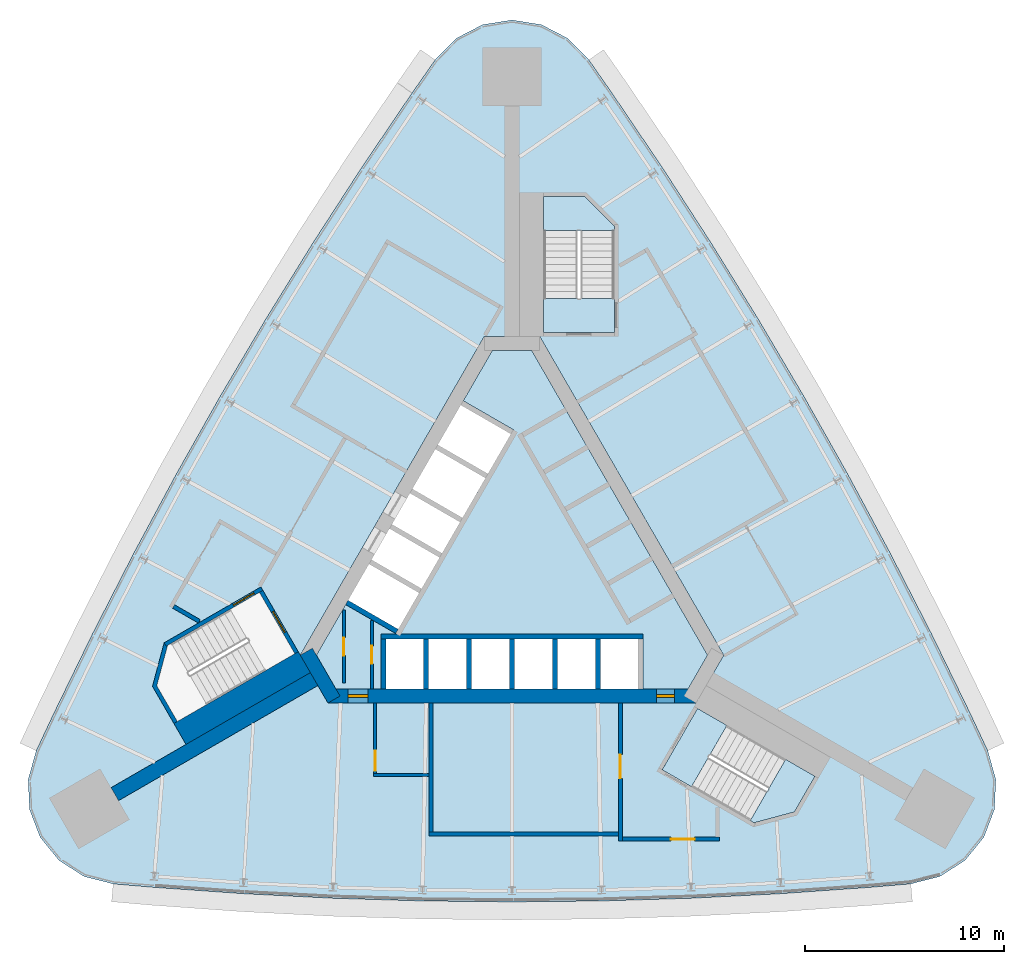
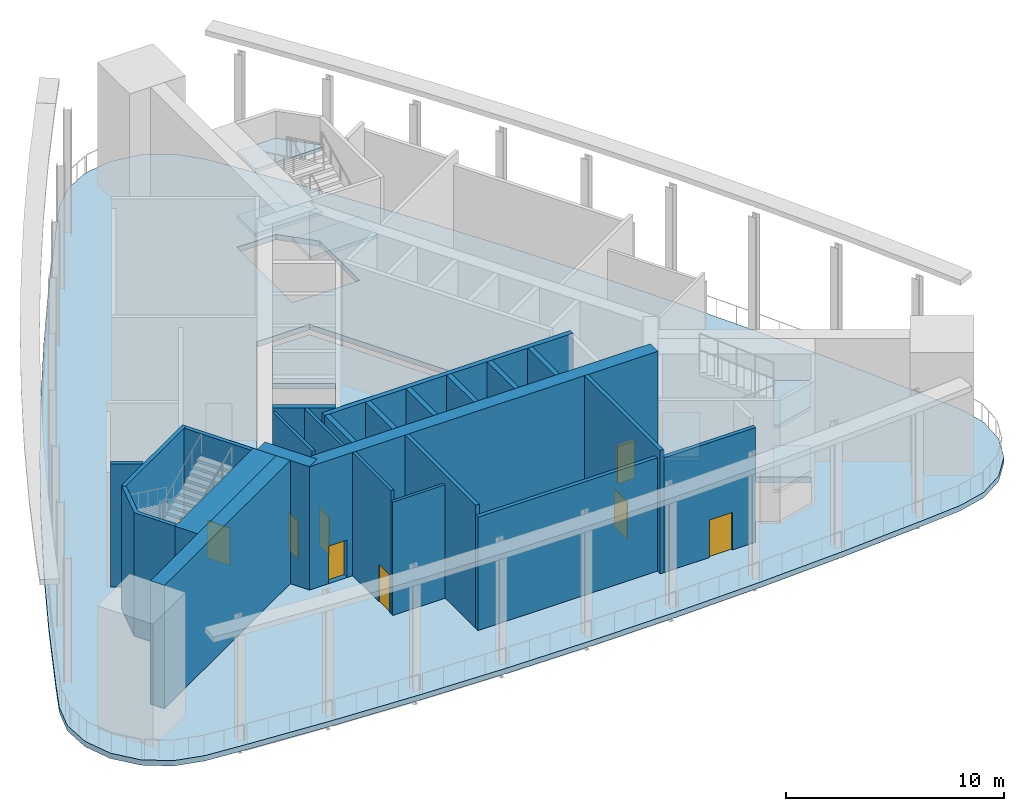
# One storey, part 2 of 7: 24 walls, 9 doors, 8 slabs, 9 openings, 2 elements without a shape of their own.
"""IFC4 building model written with IfcOpenShell, lengths in metres."""

from ifc_helpers import new_model, si_unit, direction, frame, frame_2d, origin, place, context, subcontext, project, spatial, polyline, rectangle, outline, extrude, material, layer, layer_set, type_object, element, fill, aggregate, save


model = new_model("IFC4")

# Units and contexts
model_context = context("Model", 3, precision=1e-05, world=origin(), true_north=direction((0.0, 1.0)))
body_context = subcontext(model_context, "Body", "Model", "MODEL_VIEW")
ifc_project = project(units=[si_unit("LENGTHUNIT", "METRE"), si_unit("AREAUNIT", "SQUARE_METRE"), si_unit("VOLUMEUNIT", "CUBIC_METRE"), si_unit("PLANEANGLEUNIT", "RADIAN"), si_unit("MASSUNIT", "GRAM", prefix="KILO")], contexts=[model_context])

# Site, building, storey
site_placement = place(None, origin())
site = spatial("IfcSite", under=ifc_project, at=site_placement, CompositionType="ELEMENT")
building_placement = place(site_placement, origin())
building = spatial("IfcBuilding", under=site, at=building_placement, Name="Noor Cloister Tower", CompositionType="ELEMENT")
storey_placement = place(building_placement, frame((0.0, 0.0, 127.5)))
storey = spatial("IfcBuildingStorey", under=building, at=storey_placement, Name="L33", CompositionType="ELEMENT", Elevation=127.5)

# Slabs
ifc_material_1 = material(Name="Concrete C40/50", Category="concrete")
ifc_layer_1 = layer(ifc_material_1, 0.300048828125)
ifc_layer_set_1 = layer_set([ifc_layer_1], Name="Core floor slab 300 C40/50")
slab_type_1 = type_object("IfcSlabType", Name="Core floor slab 300 C40/50", PredefinedType="FLOOR", material=ifc_layer_set_1)
slab_1_placement = place(storey_placement, frame((0.0, 0.0, -0.300048828125)))
element("IfcSlab", 1, at=slab_1_placement, inside=storey, type_object=slab_type_1, Name="Core floor L33", PredefinedType="FLOOR", context=body_context, shape_type="SweptSolid", body=[
    extrude(outline(polyline([(-6.574951171875, -6.228271484375), (-6.574951171875, -3.728271484375), (6.574951171875, -3.728271484375), (6.574951171875, -6.228271484375), (8.82470703125, -6.228271484375), (9.80615234375, -4.5283203125), (0.9814453125, 10.75634765625), (-0.9814453125, 10.75634765625), (-2.44384765625, 8.2236328125), (0.067626953125, 6.773681640625), (-5.832275390625, -3.4453125), (-8.34375, -1.995361328125), (-9.80615234375, -4.5283203125), (-8.82470703125, -6.228271484375), (-6.574951171875, -6.228271484375)])), origin(), (0.0, 0.0, 1.0), 0.300048828125),
])
ifc_material_2 = material(Name="Concrete C40/50", Category="concrete")
ifc_layer_2 = layer(ifc_material_2, 0.300048828125)
ifc_layer_set_2 = layer_set([ifc_layer_2], Name="Floor slab 300 C40/50")
slab_type_2 = type_object("IfcSlabType", Name="Floor slab 300 C40/50", PredefinedType="FLOOR", material=ifc_layer_set_2)
slab_2_placement = place(storey_placement, frame((0.0, 0.0, -0.300048828125)))
element("IfcSlab", 2, at=slab_2_placement, inside=storey, type_object=slab_type_2, Name="Floor slab L33", PredefinedType="FLOOR", context=body_context, shape_type="SweptSolid", body=[
    extrude(outline(polyline([(3.853271484375, 25.31689453125), (2.807373046875, 26.38818359375), (1.478271484375, 27.07763671875), (0.0, 27.3154296875), (-1.478271484375, 27.07763671875), (-2.807373046875, 26.38818359375), (-3.853271484375, 25.31689453125), (-5.0126953125, 23.65576171875), (-7.533447265625, 19.92822265625), (-9.978271484375, 16.150390625), (-12.345703125, 12.323486328125), (-14.635009765625, 8.449462890625), (-16.845458984375, 4.52978515625), (-18.9755859375, 0.566162109375), (-21.025146484375, -3.43994140625), (-22.992919921875, -7.48681640625), (-23.851806640625, -9.321533203125), (-24.256591796875, -10.762939453125), (-24.18896484375, -12.258544921875), (-23.65576171875, -13.65771484375), (-22.710693359375, -14.81884765625), (-21.44921875, -15.625244140625), (-19.99853515625, -15.995361328125), (-17.980224609375, -16.1689453125), (-13.49169921875, -16.48828125), (-8.99755859375, -16.716552734375), (-4.499755859375, -16.853515625), (0.0, -16.899169921875), (4.499755859375, -16.853515625), (8.99755859375, -16.716552734375), (13.49169921875, -16.48828125), (17.980224609375, -16.1689453125), (19.99853515625, -15.995361328125), (21.44921875, -15.625244140625), (22.710693359375, -14.81884765625), (23.65576171875, -13.65771484375), (24.18896484375, -12.258544921875), (24.256591796875, -10.762939453125), (23.851806640625, -9.321533203125), (22.992919921875, -7.48681640625), (21.025146484375, -3.43994140625), (18.9755859375, 0.566162109375), (16.845458984375, 4.52978515625), (14.635009765625, 8.449462890625), (12.345703125, 12.323486328125), (9.978271484375, 16.150390625), (7.533447265625, 19.92822265625), (5.0126953125, 23.65576171875), (3.853271484375, 25.31689453125)]), holes=[polyline([(8.999755859375, -11.126220703125), (12.131591796875, -12.934326171875), (14.1572265625, -12.3916015625), (15.19091796875, -10.601318359375), (10.774658203125, -8.0517578125), (8.999755859375, -11.126220703125)]), polyline([(-17.81005859375, -6.064697265625), (-16.776611328125, -7.85498046875), (-12.3603515625, -5.305419921875), (-14.13525390625, -2.23095703125), (-16.662841796875, -3.690185546875), (-17.267333984375, -4.039306640625), (-17.81005859375, -6.064697265625)]), polyline([(-10.6142578125, -4.5283203125), (-9.228759765625, -6.92822265625), (9.228759765625, -6.92822265625), (10.6142578125, -4.5283203125), (1.3857421875, 11.456298828125), (-1.3857421875, 11.456298828125), (-10.6142578125, -4.5283203125)]), polyline([(3.65283203125, 18.456298828125), (1.585693359375, 18.456298828125), (1.585693359375, 13.35693359375), (5.135498046875, 13.35693359375), (5.135498046875, 16.9736328125), (3.65283203125, 18.456298828125)])]), origin(), (0.0, 0.0, 1.0), 0.300048828125),
])

# Stair, slabs
ifc_material_3 = material(Name="Concrete C40/50", Category="concrete")
stair_type = type_object("IfcStairType", Name="Exit stair 44 risers", PredefinedType="HALF_TURN_STAIR", material=ifc_material_3)
stair_1_placement = place(storey_placement, origin())
stair_1 = element("IfcStair", 3, at=stair_1_placement, inside=storey, type_object=stair_type, Name="Exit stair ST1 L33", PredefinedType="HALF_TURN_STAIR")
ifc_material_4 = material(Name="Concrete C40/50", Category="concrete")
ifc_layer_3 = layer(ifc_material_4, 0.199951171875)
ifc_layer_set_3 = layer_set([ifc_layer_3], Name="Stair landing 200 C40/50")
slab_type_3 = type_object("IfcSlabType", Name="Stair landing 200 C40/50", PredefinedType="LANDING", material=ifc_layer_set_3)
slab_3_placement = place(storey_placement, frame((0.0, 0.0, 1.60009765625)))
slab_3 = element("IfcSlab", 4, at=slab_3_placement, type_object=slab_type_3, Name="ST1 landing 1", PredefinedType="LANDING", context=body_context, shape_type="SweptSolid", body=[
    extrude(outline(polyline([(5.135498046875, 16.755859375), (5.135498046875, 16.9736328125), (3.65283203125, 18.456298828125), (1.585693359375, 18.456298828125), (1.585693359375, 16.755859375), (5.135498046875, 16.755859375)])), origin(), (0.0, 0.0, 1.0), 0.199951171875),
])
slab_4_placement = place(storey_placement, frame((0.0, 0.0, 3.39990234375)))
slab_4 = element("IfcSlab", 5, at=slab_4_placement, type_object=slab_type_3, Name="ST1 landing 2", PredefinedType="LANDING", context=body_context, shape_type="SweptSolid", body=[
    extrude(outline(polyline([(1.585693359375, 13.35693359375), (1.585693359375, 11.656494140625), (5.135498046875, 11.656494140625), (5.135498046875, 13.35693359375), (1.585693359375, 13.35693359375)])), origin(), (0.0, 0.0, 1.0), 0.2001953125),
])
slab_5_placement = place(storey_placement, frame((0.0, 0.0, 5.199951171875)))
slab_5 = element("IfcSlab", 6, at=slab_5_placement, type_object=slab_type_3, Name="ST1 landing 3", PredefinedType="LANDING", context=body_context, shape_type="SweptSolid", body=[
    extrude(outline(polyline([(5.135498046875, 16.755859375), (5.135498046875, 16.9736328125), (3.65283203125, 18.456298828125), (1.585693359375, 18.456298828125), (1.585693359375, 16.755859375), (5.135498046875, 16.755859375)])), origin(), (0.0, 0.0, 1.0), 0.199951171875),
])
aggregate(stair_1, [slab_3, slab_4, slab_5])

stair_2_placement = place(storey_placement, origin())
stair_2 = element("IfcStair", 7, at=stair_2_placement, inside=storey, type_object=stair_type, Name="Exit stair ST3 L33", PredefinedType="HALF_TURN_STAIR")
slab_6_placement = place(storey_placement, frame((0.0, 0.0, 1.60009765625)))
slab_6 = element("IfcSlab", 8, at=slab_6_placement, type_object=slab_type_3, Name="ST3 landing 1", PredefinedType="LANDING", context=body_context, shape_type="SweptSolid", body=[
    extrude(outline(polyline([(11.943115234375, -12.825439453125), (12.131591796875, -12.934326171875), (14.1572265625, -12.3916015625), (15.19091796875, -10.601318359375), (13.718017578125, -9.751220703125), (11.943115234375, -12.825439453125)])), origin(), (0.0, 0.0, 1.0), 0.199951171875),
])
slab_7_placement = place(storey_placement, frame((0.0, 0.0, 3.39990234375)))
slab_7 = element("IfcSlab", 9, at=slab_7_placement, type_object=slab_type_3, Name="ST3 landing 2", PredefinedType="LANDING", context=body_context, shape_type="SweptSolid", body=[
    extrude(outline(polyline([(10.774658203125, -8.0517578125), (9.302001953125, -7.201416015625), (7.52685546875, -10.27587890625), (8.999755859375, -11.126220703125), (10.774658203125, -8.0517578125)])), origin(), (0.0, 0.0, 1.0), 0.2001953125),
])
slab_8_placement = place(storey_placement, frame((0.0, 0.0, 5.199951171875)))
slab_8 = element("IfcSlab", 10, at=slab_8_placement, type_object=slab_type_3, Name="ST3 landing 3", PredefinedType="LANDING", context=body_context, shape_type="SweptSolid", body=[
    extrude(outline(polyline([(11.943115234375, -12.825439453125), (12.131591796875, -12.934326171875), (14.1572265625, -12.3916015625), (15.19091796875, -10.601318359375), (13.718017578125, -9.751220703125), (11.943115234375, -12.825439453125)])), origin(), (0.0, 0.0, 1.0), 0.199951171875),
])
aggregate(stair_2, [slab_6, slab_7, slab_8])

# Wall
ifc_material_5 = material(Name="Concrete C80/95", Category="concrete")
ifc_layer_4 = layer(ifc_material_5, 0.75)
ifc_layer_set_4 = layer_set([ifc_layer_4], Name="Buttress wall 750 C80/95")
wall_type_1 = type_object("IfcWallType", Name="Buttress wall 750 C80/95", PredefinedType="SHEAR", material=ifc_layer_set_4)
wall_1_placement = place(storey_placement, frame((-9.921630859375, -5.728271484375, -0.300048828125), z_axis=(0.0, 0.0, 1.0), x_axis=(-0.866024913782, -0.500000848707, 0.0)))
element("IfcWall", 11, at=wall_1_placement, inside=storey, type_object=wall_type_1, Name="Buttress wall SW L33", PredefinedType="SHEAR", context=body_context, shape_type="SweptSolid", body=[
    extrude(rectangle(XDim=11.53857421875, YDim=0.75, at=frame_2d((5.769287109375, 0.0))), origin(), (0.0, 0.0, 1.0), 7.199951171875),
])

# Wall, opening, door
ifc_material_6 = material(Name="Concrete C30/37", Category="concrete")
ifc_layer_5 = layer(ifc_material_6, 0.14990234375)
ifc_layer_set_5 = layer_set([ifc_layer_5], Name="Core partition 150 C30/37")
wall_type_2 = type_object("IfcWallType", Name="Core partition 150 C30/37", PredefinedType="PARTITIONING", material=ifc_layer_set_5)
wall_2_placement = place(storey_placement, frame((-8.4287109375, -5.92822265625, 0.0), z_axis=(0.0, 0.0, 1.0), x_axis=(0.0, 1.0, 0.0)))
wall_2 = element("IfcWall", 12, at=wall_2_placement, inside=storey, type_object=wall_type_2, Name="Core room partition L33 1", PredefinedType="PARTITIONING", context=body_context, shape_type="SweptSolid", body=[
    extrude(rectangle(XDim=3.655517578125, YDim=0.14990234375, at=frame_2d((1.82763671875, 0.0))), origin(), (0.0, 0.0, 1.0), 6.89990234375),
])
opening_1_placement = place(wall_2_placement, frame((1.377685546875, 0.0, 0.0)))
opening_1 = element("IfcOpeningElement", 13, at=opening_1_placement, cuts=wall_2, Name="Opening L33-902", PredefinedType="OPENING", context=body_context, shape_type="SweptSolid", body=[
    extrude(rectangle(XDim=0.89990234375, YDim=2.10009765625, at=frame_2d((0.449951171875, 1.050048828125))), frame((0.0, 0.0849609375, 0.0), z_axis=(0.0, -1.0, 0.0), x_axis=(1.0, 0.0, 0.0)), (0.0, 0.0, 1.0), 0.169921875),
])
ifc_material_7 = material(Name="Steel", Category="steel")
door_type_1 = type_object("IfcDoorType", Name="Core door 900 x 2100 FD120", OperationType="SINGLE_SWING_LEFT", PredefinedType="DOOR", material=ifc_material_7)
door_1_placement = place(opening_1_placement, origin())
door_1 = element("IfcDoor", 14, at=door_1_placement, inside=storey, type_object=door_type_1, Name="Core door 2 L33", OperationType="SINGLE_SWING_RIGHT", OverallHeight=2.10009765625, OverallWidth=0.89990234375, PredefinedType="DOOR", context=body_context, shape_type="SweptSolid", body=[
    extrude(rectangle(XDim=0.89990234375, YDim=2.10009765625, at=frame_2d((0.449951171875, 1.050048828125))), frame((0.0, 0.02490234375, 0.0), z_axis=(0.0, -1.0, 0.0), x_axis=(1.0, 0.0, 0.0)), (0.0, 0.0, 1.0), 0.050048828125),
])
fill(opening_1, door_1)

wall_3_placement = place(storey_placement, frame((-7.02880859375, -2.7998046875, 0.0), z_axis=(0.0, 0.0, 1.0), x_axis=(0.0, -1.0, 0.0)))
wall_3 = element("IfcWall", 15, at=wall_3_placement, inside=storey, type_object=wall_type_2, Name="Core room partition L33 2", PredefinedType="PARTITIONING", context=body_context, shape_type="SweptSolid", body=[
    extrude(rectangle(XDim=3.428466796875, YDim=0.14990234375, at=frame_2d((1.71435546875, 0.0))), origin(), (0.0, 0.0, 1.0), 6.89990234375),
])
opening_2_placement = place(wall_3_placement, frame((1.264404296875, 0.0, 0.0)))
opening_2 = element("IfcOpeningElement", 16, at=opening_2_placement, cuts=wall_3, Name="Opening L33-904", PredefinedType="OPENING", context=body_context, shape_type="SweptSolid", body=[
    extrude(rectangle(XDim=0.89990234375, YDim=2.10009765625, at=frame_2d((0.449951171875, 1.050048828125))), frame((0.0, 0.0849609375, 0.0), z_axis=(0.0, -1.0, 0.0), x_axis=(1.0, 0.0, 0.0)), (0.0, 0.0, 1.0), 0.169921875),
])
door_2_placement = place(opening_2_placement, origin())
door_2 = element("IfcDoor", 17, at=door_2_placement, inside=storey, type_object=door_type_1, Name="Core door 4 L33", OperationType="SINGLE_SWING_RIGHT", OverallHeight=2.10009765625, OverallWidth=0.89990234375, PredefinedType="DOOR", context=body_context, shape_type="SweptSolid", body=[
    extrude(rectangle(XDim=0.89990234375, YDim=2.10009765625, at=frame_2d((0.449951171875, 1.050048828125))), frame((0.0, 0.02490234375, 0.0), z_axis=(0.0, -1.0, 0.0), x_axis=(1.0, 0.0, 0.0)), (0.0, 0.0, 1.0), 0.050048828125),
])
fill(opening_2, door_2)

# Wall, openings, doors
ifc_material_8 = material(Name="Concrete C80/95", Category="concrete")
ifc_layer_6 = layer(ifc_material_8, 0.699951171875)
ifc_layer_set_6 = layer_set([ifc_layer_6], Name="Core wall 700 C80/95")
wall_type_3 = type_object("IfcWallType", Name="Core wall 700 C80/95", PredefinedType="SHEAR", material=ifc_layer_set_6)
wall_4_placement = place(storey_placement, frame((-9.228759765625, -6.578125, -0.300048828125), z_axis=(0.0, 0.0, 1.0), x_axis=(1.0, 0.0, 0.0)))
wall_4 = element("IfcWall", 18, at=wall_4_placement, inside=storey, type_object=wall_type_3, Name="Core wall L33 1", PredefinedType="SHEAR", context=body_context, shape_type="SweptSolid", body=[
    extrude(rectangle(XDim=18.45751953125, YDim=0.699951171875, at=frame_2d((9.228759765625, 0.0))), origin(), (0.0, 0.0, 1.0), 7.199951171875),
])
opening_3_placement = place(wall_4_placement, frame((1.0, 0.0, 0.300048828125)))
opening_3 = element("IfcOpeningElement", 19, at=opening_3_placement, cuts=wall_4, Name="Opening L33-901", PredefinedType="OPENING", context=body_context, shape_type="SweptSolid", body=[
    extrude(rectangle(XDim=1.0, YDim=2.10009765625, at=frame_2d((0.5, 1.050048828125))), frame((0.0, 0.35986328125, 0.0), z_axis=(0.0, -1.0, 0.0), x_axis=(1.0, 0.0, 0.0)), (0.0, 0.0, 1.0), 0.719970703125),
])
opening_4_placement = place(wall_4_placement, frame((16.478515625, 0.0, 0.300048828125)))
opening_4 = element("IfcOpeningElement", 20, at=opening_4_placement, cuts=wall_4, Name="Opening L33-903", PredefinedType="OPENING", context=body_context, shape_type="SweptSolid", body=[
    extrude(rectangle(XDim=0.89990234375, YDim=2.10009765625, at=frame_2d((0.449951171875, 1.050048828125))), frame((0.0, 0.35986328125, 0.0), z_axis=(0.0, -1.0, 0.0), x_axis=(1.0, 0.0, 0.0)), (0.0, 0.0, 1.0), 0.719970703125),
])
ifc_material_9 = material(Name="Steel", Category="steel")
door_type_2 = type_object("IfcDoorType", Name="Core door 1000 x 2100 FD120", OperationType="SINGLE_SWING_LEFT", PredefinedType="DOOR", material=ifc_material_9)
door_3_placement = place(opening_3_placement, origin())
door_3 = element("IfcDoor", 21, at=door_3_placement, inside=storey, type_object=door_type_2, Name="Core door 1 L33", OperationType="SINGLE_SWING_LEFT", OverallHeight=2.10009765625, OverallWidth=1.0, PredefinedType="DOOR", context=body_context, shape_type="SweptSolid", body=[
    extrude(rectangle(XDim=1.0, YDim=2.10009765625, at=frame_2d((0.5, 1.050048828125))), frame((0.0, 0.074951171875, 0.0), z_axis=(0.0, -1.0, 0.0), x_axis=(1.0, 0.0, 0.0)), (0.0, 0.0, 1.0), 0.14990234375),
])
fill(opening_3, door_3)
ifc_material_10 = material(Name="Steel", Category="steel")
door_type_3 = type_object("IfcDoorType", Name="Core door 900 x 2100 FD60", OperationType="SINGLE_SWING_LEFT", PredefinedType="DOOR", material=ifc_material_10)
door_4_placement = place(opening_4_placement, origin())
door_4 = element("IfcDoor", 22, at=door_4_placement, inside=storey, type_object=door_type_3, Name="Core door 3 L33", OperationType="SINGLE_SWING_LEFT", OverallHeight=2.10009765625, OverallWidth=0.89990234375, PredefinedType="DOOR", context=body_context, shape_type="SweptSolid", body=[
    extrude(rectangle(XDim=0.89990234375, YDim=2.10009765625, at=frame_2d((0.449951171875, 1.050048828125))), frame((0.0, 0.074951171875, 0.0), z_axis=(0.0, -1.0, 0.0), x_axis=(1.0, 0.0, 0.0)), (0.0, 0.0, 1.0), 0.14990234375),
])
fill(opening_4, door_4)

# Walls
wall_5_placement = place(storey_placement, frame((-10.311279296875, -4.353271484375, -0.300048828125), z_axis=(0.0, 0.0, 1.0), x_axis=(0.500042739161, -0.866000726912, 0.0)))
element("IfcWall", 23, at=wall_5_placement, inside=storey, type_object=wall_type_3, Name="Core wall L33 6", PredefinedType="SHEAR", context=body_context, shape_type="SweptSolid", body=[
    extrude(rectangle(XDim=2.771240234375, YDim=0.699951171875, at=frame_2d((1.3857421875, 0.0))), origin(), (0.0, 0.0, 1.0), 7.199951171875),
])
ifc_material_11 = material(Name="Concrete C80/95", Category="concrete")
ifc_layer_7 = layer(ifc_material_11, 0.25)
ifc_layer_set_7 = layer_set([ifc_layer_7], Name="Shaft wall 250 C80/95")
wall_type_4 = type_object("IfcWallType", Name="Shaft wall 250 C80/95", PredefinedType="PARTITIONING", material=ifc_layer_set_7)
for number, where, z_axis, x_axis, name in (
    (24, (-6.449951171875, -6.228271484375, -0.300048828125), (0.0, 0.0, 1.0), (0.0, 1.0, 0.0), "Lift shaft wall L33 S 1"),
    (25, (-4.300048828125, -6.228271484375, -0.300048828125), (0.0, 0.0, 1.0), (0.0, 1.0, 0.0), "Lift shaft wall L33 S 2"),
    (26, (-2.14990234375, -6.228271484375, -0.300048828125), (0.0, 0.0, 1.0), (0.0, 1.0, 0.0), "Lift shaft wall L33 S 3"),
    (27, (0.0, -6.228271484375, -0.300048828125), (0.0, 0.0, 1.0), (0.0, 1.0, 0.0), "Lift shaft wall L33 S 4"),
    (28, (2.14990234375, -6.228271484375, -0.300048828125), (0.0, 0.0, 1.0), (0.0, 1.0, 0.0), "Lift shaft wall L33 S 5"),
    (29, (4.300048828125, -6.228271484375, -0.300048828125), (0.0, 0.0, 1.0), (0.0, 1.0, 0.0), "Lift shaft wall L33 S 6"),
):
    element("IfcWall", number, at=place(storey_placement, frame(where, z_axis=z_axis, x_axis=x_axis)), inside=storey, type_object=wall_type_4, Name=name, PredefinedType="PARTITIONING", context=body_context, shape_type="SweptSolid", body=[
        extrude(rectangle(XDim=2.5, YDim=0.25, at=frame_2d((1.25, 0.0))), origin(), (0.0, 0.0, 1.0), 7.199951171875),
    ])
wall_6_placement = place(storey_placement, frame((-6.574951171875, -3.603271484375, 0.0), z_axis=(0.0, 0.0, 1.0), x_axis=(1.0, 0.0, 0.0)))
element("IfcWall", 30, at=wall_6_placement, inside=storey, type_object=wall_type_4, Name="Lift shaft back wall L33 S", PredefinedType="PARTITIONING", context=body_context, shape_type="SweptSolid", body=[
    extrude(rectangle(XDim=13.14990234375, YDim=0.25, at=frame_2d((6.574951171875, 0.0))), origin(), (0.0, 0.0, 1.0), 6.89990234375),
])
wall_7_placement = place(storey_placement, frame((-8.28125, -1.88720703125, -0.300048828125), z_axis=(0.0, 0.0, 1.0), x_axis=(0.866032775405, -0.499987231761, 0.0)))
element("IfcWall", 31, at=wall_7_placement, inside=storey, type_object=wall_type_4, Name="Lift shaft wall L33 NW 6", PredefinedType="PARTITIONING", context=body_context, shape_type="SweptSolid", body=[
    extrude(rectangle(XDim=2.89990234375, YDim=0.25, at=frame_2d((1.449951171875, 0.0))), origin(), (0.0, 0.0, 1.0), 7.199951171875),
])
ifc_material_12 = material(Name="Concrete C80/95", Category="concrete")
ifc_layer_8 = layer(ifc_material_12, 1.2109375)
ifc_layer_set_8 = layer_set([ifc_layer_8], Name="Stair enclosure wall 1211 C80/95")
wall_type_5 = type_object("IfcWallType", Name="Stair enclosure wall 1211 C80/95", PredefinedType="SHEAR", material=ifc_layer_set_8)
wall_8_placement = place(storey_placement, frame((-10.41162109375, -4.879150390625, -0.300048828125), z_axis=(0.0, 0.0, 1.0), x_axis=(-0.866026919366, -0.499997374926, 0.0)))
element("IfcWall", 32, at=wall_8_placement, inside=storey, type_object=wall_type_5, Name="Stair enclosure wall ST2 L33 riser side", PredefinedType="SHEAR", context=body_context, shape_type="SweptSolid", body=[
    extrude(rectangle(XDim=7.2001953125, YDim=1.210693359375, at=frame_2d((3.60009765625, 0.0))), origin(), (0.0, 0.0, 1.0), 7.199951171875),
])

# Wall, opening, door
ifc_material_13 = material(Name="Concrete C80/95", Category="concrete")
ifc_layer_9 = layer(ifc_material_13, 0.199951171875)
ifc_layer_set_9 = layer_set([ifc_layer_9], Name="Stair enclosure wall 200 C80/95")
wall_type_6 = type_object("IfcWallType", Name="Stair enclosure wall 200 C80/95", PredefinedType="SHEAR", material=ifc_layer_set_9)
wall_9_placement = place(storey_placement, frame((-12.575927734375, -1.33056640625, -0.300048828125), z_axis=(0.0, 0.0, 1.0), x_axis=(0.499970499736, -0.8660424351, 0.0)))
wall_9 = element("IfcWall", 33, at=wall_9_placement, inside=storey, type_object=wall_type_6, Name="Stair enclosure wall ST2 L33 near end", PredefinedType="SHEAR", context=body_context, shape_type="SweptSolid", body=[
    extrude(rectangle(XDim=3.550048828125, YDim=0.199951171875, at=frame_2d((1.77490234375, 0.0))), origin(), (0.0, 0.0, 1.0), 7.199951171875),
])
opening_5_placement = place(wall_9_placement, frame((1.175048828125, 0.0, 0.300048828125)))
opening_5 = element("IfcOpeningElement", 34, at=opening_5_placement, cuts=wall_9, Name="Opening L33-ST2L", PredefinedType="OPENING", context=body_context, shape_type="SweptSolid", body=[
    extrude(rectangle(XDim=1.199951171875, YDim=2.10009765625, at=frame_2d((0.60009765625, 1.050048828125))), frame((0.0, 0.10986328125, 0.0), z_axis=(0.0, -1.0, 0.0), x_axis=(1.0, 0.0, 0.0)), (0.0, 0.0, 1.0), 0.219970703125),
])
ifc_material_14 = material(Name="Steel", Category="steel")
door_type_4 = type_object("IfcDoorType", Name="Stair door 1200 x 2100 FD120", OperationType="SINGLE_SWING_LEFT", PredefinedType="DOOR", material=ifc_material_14)
door_5_placement = place(opening_5_placement, origin())
door_5 = element("IfcDoor", 35, at=door_5_placement, inside=storey, type_object=door_type_4, Name="Stair door ST2 L33", OperationType="SINGLE_SWING_RIGHT", OverallHeight=2.10009765625, OverallWidth=1.199951171875, PredefinedType="DOOR", context=body_context, shape_type="SweptSolid", body=[
    extrude(rectangle(XDim=1.199951171875, YDim=2.10009765625, at=frame_2d((0.60009765625, 1.050048828125))), frame((0.0, 0.02490234375, 0.0), z_axis=(0.0, -1.0, 0.0), x_axis=(1.0, 0.0, 0.0)), (0.0, 0.0, 1.0), 0.050048828125),
])
fill(opening_5, door_5)

wall_10_placement = place(storey_placement, frame((-12.539306640625, -1.194091796875, -0.300048828125), z_axis=(0.0, 0.0, 1.0), x_axis=(-0.866045472092, -0.499965239061, 0.0)))
wall_10 = element("IfcWall", 36, at=wall_10_placement, inside=storey, type_object=wall_type_6, Name="Stair enclosure wall ST2 L33 outer side", PredefinedType="SHEAR", context=body_context, shape_type="SweptSolid", body=[
    extrude(rectangle(XDim=5.60009765625, YDim=0.199951171875, at=frame_2d((2.800048828125, 0.0))), origin(), (0.0, 0.0, 1.0), 7.199951171875),
])
opening_6_placement = place(wall_10_placement, frame((0.449951171875, 0.0, 0.300048828125)))
opening_6 = element("IfcOpeningElement", 37, at=opening_6_placement, cuts=wall_10, Name="Opening L33-ST2C", PredefinedType="OPENING", context=body_context, shape_type="SweptSolid", body=[
    extrude(rectangle(XDim=1.199951171875, YDim=2.10009765625, at=frame_2d((0.60009765625, 1.050048828125))), frame((0.0, 0.10986328125, 0.0), z_axis=(0.0, -1.0, 0.0), x_axis=(1.0, 0.0, 0.0)), (0.0, 0.0, 1.0), 0.219970703125),
])
door_6_placement = place(opening_6_placement, origin())
door_6 = element("IfcDoor", 38, at=door_6_placement, inside=storey, type_object=door_type_4, Name="Stair door ST2 L33", OperationType="SINGLE_SWING_LEFT", OverallHeight=2.10009765625, OverallWidth=1.199951171875, PredefinedType="DOOR", context=body_context, shape_type="SweptSolid", body=[
    extrude(rectangle(XDim=1.199951171875, YDim=2.10009765625, at=frame_2d((0.60009765625, 1.050048828125))), frame((0.0, 0.02490234375, 0.0), z_axis=(0.0, -1.0, 0.0), x_axis=(1.0, 0.0, 0.0)), (0.0, 0.0, 1.0), 0.050048828125),
])
fill(opening_6, door_6)

# Walls
ifc_material_15 = material(Name="Concrete C80/95", Category="concrete")
wall_type_7 = type_object("IfcWallType", Name="Stair far end wall C80/95", PredefinedType="SHEAR", material=ifc_material_15)
wall_11_placement = place(storey_placement, frame((0.0, 0.0, -0.300048828125)))
element("IfcWall", 39, at=wall_11_placement, inside=storey, type_object=wall_type_7, Name="Stair enclosure wall ST2 L33 far end", PredefinedType="SHEAR", context=body_context, shape_type="SweptSolid", body=[
    extrude(outline(polyline([(-17.439208984375, -3.907470703125), (-18.024658203125, -6.093017578125), (-16.94970703125, -7.955078125), (-16.776611328125, -7.85498046875), (-17.81005859375, -6.064697265625), (-17.267333984375, -4.039306640625), (-17.339111328125, -4.08056640625), (-17.339111328125, -4.08056640625), (-17.339111328125, -4.08056640625), (-17.339111328125, -4.08056640625), (-17.339111328125, -4.08056640625), (-17.339111328125, -4.08056640625), (-17.339111328125, -4.08056640625), (-17.339111328125, -4.08056640625), (-17.339111328125, -4.08056640625), (-17.339111328125, -4.08056640625), (-17.339111328125, -4.08056640625), (-17.339111328125, -4.08056640625), (-17.339111328125, -4.08056640625), (-17.339111328125, -4.08056640625), (-17.339111328125, -4.08056640625), (-17.339111328125, -4.08056640625), (-17.339111328125, -4.08056640625), (-17.439208984375, -3.907470703125)])), origin(), (0.0, 0.0, 1.0), 7.199951171875),
])
ifc_material_16 = material(Name="Fire-rated gypsum board partition on steel studs, 150 mm", Category="steel")
ifc_layer_10 = layer(ifc_material_16, 0.14990234375)
ifc_layer_set_10 = layer_set([ifc_layer_10], Name="Upper floor corridor wall 150")
wall_type_8 = type_object("IfcWallType", Name="Upper floor corridor wall 150", PredefinedType="PARTITIONING", material=ifc_layer_set_10)
wall_12_placement = place(storey_placement, frame((-6.94140625, -10.5283203125, 0.0), z_axis=(0.0, 0.0, 1.0), x_axis=(1.0, 0.0, 0.0)))
element("IfcWall", 40, at=wall_12_placement, inside=storey, type_object=wall_type_8, Name="Upper floor corridor wall 150 L33 014", PredefinedType="PARTITIONING", context=body_context, shape_type="SweptSolid", body=[
    extrude(rectangle(XDim=2.77490234375, YDim=0.14990234375, at=frame_2d((1.387451171875, 0.0))), origin(), (0.0, 0.0, 1.0), 6.346923828125),
])

# Wall, opening, door
wall_13_placement = place(storey_placement, frame((-6.866455078125, -6.92822265625, 0.0), z_axis=(0.0, 0.0, 1.0), x_axis=(0.0, -1.0, 0.0)))
wall_13 = element("IfcWall", 41, at=wall_13_placement, inside=storey, type_object=wall_type_8, Name="Upper floor corridor wall 150 L33 021", PredefinedType="PARTITIONING", context=body_context, shape_type="SweptSolid", body=[
    extrude(rectangle(XDim=3.52490234375, YDim=0.14990234375, at=frame_2d((1.762451171875, 0.0))), origin(), (0.0, 0.0, 1.0), 6.89990234375),
])
opening_7_placement = place(wall_13_placement, frame((2.393798828125, 0.0, 0.0)))
opening_7 = element("IfcOpeningElement", 42, at=opening_7_placement, cuts=wall_13, Name="Opening L33-006", PredefinedType="OPENING", context=body_context, shape_type="SweptSolid", body=[
    extrude(rectangle(XDim=1.0, YDim=2.10009765625, at=frame_2d((0.5, 1.050048828125))), frame((0.0, 0.0849609375, 0.0), z_axis=(0.0, -1.0, 0.0), x_axis=(1.0, 0.0, 0.0)), (0.0, 0.0, 1.0), 0.169921875),
])
ifc_material_17 = material(Name="Timber door leaf with steel frame", Category="steel")
door_type_5 = type_object("IfcDoorType", Name="Staff room door 1000", OperationType="NOTDEFINED", PredefinedType="DOOR", material=ifc_material_17)
door_7_placement = place(opening_7_placement, origin())
door_7 = element("IfcDoor", 43, at=door_7_placement, inside=storey, type_object=door_type_5, Name="Staff room door 1000 L33-006", OperationType="SINGLE_SWING_RIGHT", OverallHeight=2.10009765625, OverallWidth=1.0, PredefinedType="DOOR", context=body_context, shape_type="SweptSolid", body=[
    extrude(rectangle(XDim=1.0, YDim=2.10009765625, at=frame_2d((0.5, 1.050048828125))), frame((0.0, 0.02490234375, 0.0), z_axis=(0.0, -1.0, 0.0), x_axis=(1.0, 0.0, 0.0)), (0.0, 0.0, 1.0), 0.050048828125),
])
fill(opening_7, door_7)

# Wall
ifc_material_18 = material(Name="Concrete block wall, 200 mm", Category="concrete")
ifc_layer_11 = layer(ifc_material_18, 0.199951171875)
ifc_layer_set_11 = layer_set([ifc_layer_11], Name="Upper floor plant room wall 200")
wall_type_9 = type_object("IfcWallType", Name="Upper floor plant room wall 200", PredefinedType="PARTITIONING", material=ifc_layer_set_11)
wall_14_placement = place(storey_placement, frame((-16.96728515625, -2.088623046875, 0.0), z_axis=(0.0, 0.0, 1.0), x_axis=(0.866024464444, -0.500001626982, 0.0)))
element("IfcWall", 44, at=wall_14_placement, inside=storey, type_object=wall_type_9, Name="Upper floor plant room wall 200 L33 005", PredefinedType="PARTITIONING", context=body_context, shape_type="SweptSolid", body=[
    extrude(rectangle(XDim=1.48876953125, YDim=0.199951171875, at=frame_2d((0.744384765625, 0.0))), origin(), (0.0, 0.0, 1.0), 6.89990234375),
])

# Wall, opening, door
wall_15_placement = place(storey_placement, frame((5.43359375, -13.849853515625, 0.0), z_axis=(0.0, 0.0, 1.0), x_axis=(0.0, 1.0, 0.0)))
wall_15 = element("IfcWall", 45, at=wall_15_placement, inside=storey, type_object=wall_type_9, Name="Upper floor plant room wall 200 L33 009", PredefinedType="PARTITIONING", context=body_context, shape_type="SweptSolid", body=[
    extrude(rectangle(XDim=6.921630859375, YDim=0.199951171875, at=frame_2d((3.4609375, 0.0))), origin(), (0.0, 0.0, 1.0), 6.89990234375),
])
opening_8_placement = place(wall_15_placement, frame((3.1376953125, 0.0, 0.0)))
opening_8 = element("IfcOpeningElement", 46, at=opening_8_placement, cuts=wall_15, Name="Opening L33-005", PredefinedType="OPENING", context=body_context, shape_type="SweptSolid", body=[
    extrude(rectangle(XDim=1.199951171875, YDim=2.10009765625, at=frame_2d((0.60009765625, 1.050048828125))), frame((0.0, 0.10986328125, 0.0), z_axis=(0.0, -1.0, 0.0), x_axis=(1.0, 0.0, 0.0)), (0.0, 0.0, 1.0), 0.219970703125),
])
ifc_material_19 = material(Name="Timber door leaf with steel frame", Category="steel")
door_type_6 = type_object("IfcDoorType", Name="Protected lobby door 1200", OperationType="NOTDEFINED", PredefinedType="DOOR", material=ifc_material_19)
door_8_placement = place(opening_8_placement, origin())
door_8 = element("IfcDoor", 47, at=door_8_placement, inside=storey, type_object=door_type_6, Name="Protected lobby door 1200 L33-005", OperationType="SINGLE_SWING_RIGHT", OverallHeight=2.10009765625, OverallWidth=1.199951171875, PredefinedType="DOOR", context=body_context, shape_type="SweptSolid", body=[
    extrude(rectangle(XDim=1.199951171875, YDim=2.10009765625, at=frame_2d((0.60009765625, 1.050048828125))), frame((0.0, 0.02490234375, 0.0), z_axis=(0.0, -1.0, 0.0), x_axis=(1.0, 0.0, 0.0)), (0.0, 0.0, 1.0), 0.050048828125),
])
fill(opening_8, door_8)

# Wall
wall_16_placement = place(storey_placement, frame((-4.16650390625, -13.4990234375, 0.0), z_axis=(0.0, 0.0, 1.0), x_axis=(1.0, 0.0, 0.0)))
element("IfcWall", 48, at=wall_16_placement, inside=storey, type_object=wall_type_9, Name="Upper floor plant room wall 200 L33 010", PredefinedType="PARTITIONING", context=body_context, shape_type="SweptSolid", body=[
    extrude(rectangle(XDim=9.5, YDim=0.199951171875, at=frame_2d((4.75, 0.0))), origin(), (0.0, 0.0, 1.0), 6.346923828125),
])

# Wall, opening, door
wall_17_placement = place(storey_placement, frame((5.53369140625, -13.749755859375, 0.0), z_axis=(0.0, 0.0, 1.0), x_axis=(1.0, 0.0, 0.0)))
wall_17 = element("IfcWall", 49, at=wall_17_placement, inside=storey, type_object=wall_type_9, Name="Upper floor plant room wall 200 L33 011", PredefinedType="PARTITIONING", context=body_context, shape_type="SweptSolid", body=[
    extrude(rectangle(XDim=4.85888671875, YDim=0.199951171875, at=frame_2d((2.429443359375, 0.0))), origin(), (0.0, 0.0, 1.0), 6.423095703125),
])
opening_9_placement = place(wall_17_placement, frame((2.42724609375, 0.0, 0.0)))
opening_9 = element("IfcOpeningElement", 50, at=opening_9_placement, cuts=wall_17, Name="Opening L33-004", PredefinedType="OPENING", context=body_context, shape_type="SweptSolid", body=[
    extrude(rectangle(XDim=1.199951171875, YDim=2.10009765625, at=frame_2d((0.60009765625, 1.050048828125))), frame((0.0, 0.10986328125, 0.0), z_axis=(0.0, -1.0, 0.0), x_axis=(1.0, 0.0, 0.0)), (0.0, 0.0, 1.0), 0.219970703125),
])
door_9_placement = place(opening_9_placement, origin())
door_9 = element("IfcDoor", 51, at=door_9_placement, inside=storey, type_object=door_type_6, Name="Protected lobby door 1200 L33-004", OperationType="SINGLE_SWING_RIGHT", OverallHeight=2.10009765625, OverallWidth=1.199951171875, PredefinedType="DOOR", context=body_context, shape_type="SweptSolid", body=[
    extrude(rectangle(XDim=1.199951171875, YDim=2.10009765625, at=frame_2d((0.60009765625, 1.050048828125))), frame((0.0, 0.02490234375, 0.0), z_axis=(0.0, -1.0, 0.0), x_axis=(1.0, 0.0, 0.0)), (0.0, 0.0, 1.0), 0.050048828125),
])
fill(opening_9, door_9)

# Wall
wall_18_placement = place(storey_placement, frame((-4.06640625, -13.399169921875, 0.0), z_axis=(0.0, 0.0, 1.0), x_axis=(0.0, 1.0, 0.0)))
element("IfcWall", 52, at=wall_18_placement, inside=storey, type_object=wall_type_9, Name="Upper floor plant room wall 200 L33 013", PredefinedType="PARTITIONING", context=body_context, shape_type="SweptSolid", body=[
    extrude(rectangle(XDim=6.470947265625, YDim=0.199951171875, at=frame_2d((3.2353515625, 0.0))), origin(), (0.0, 0.0, 1.0), 6.89990234375),
])

save(model, "model.ifc")
